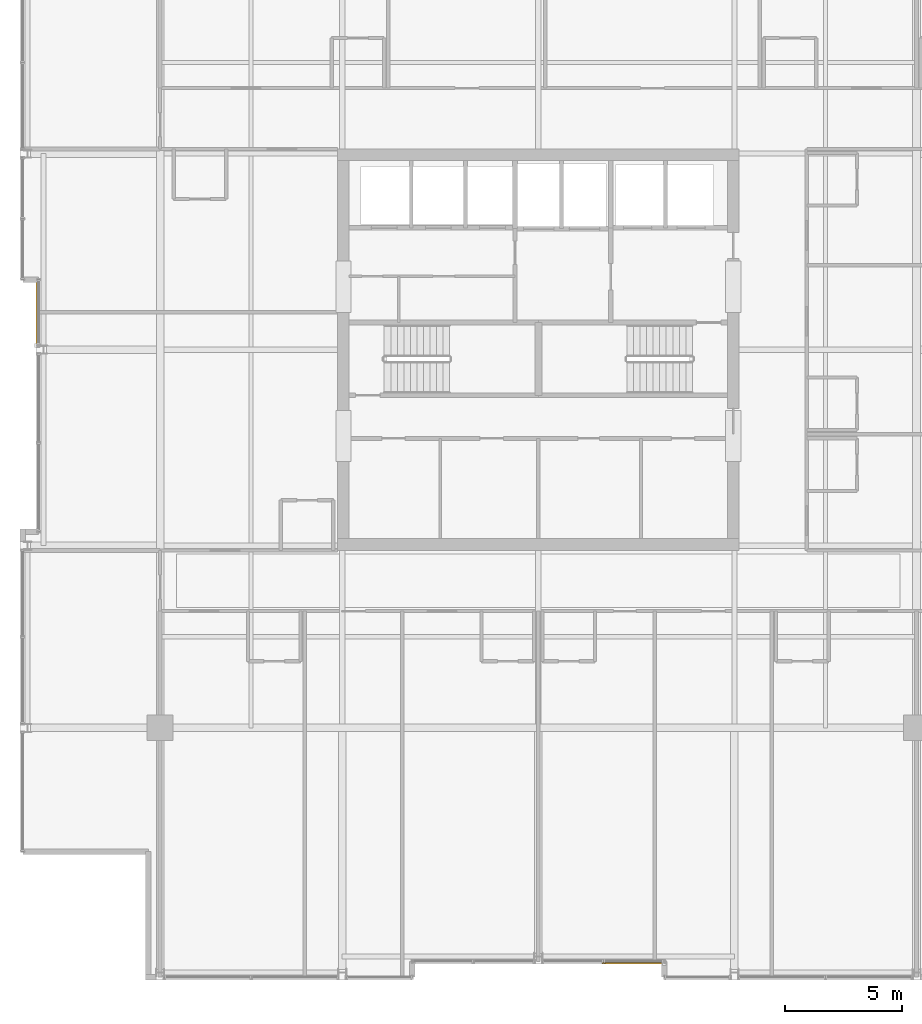
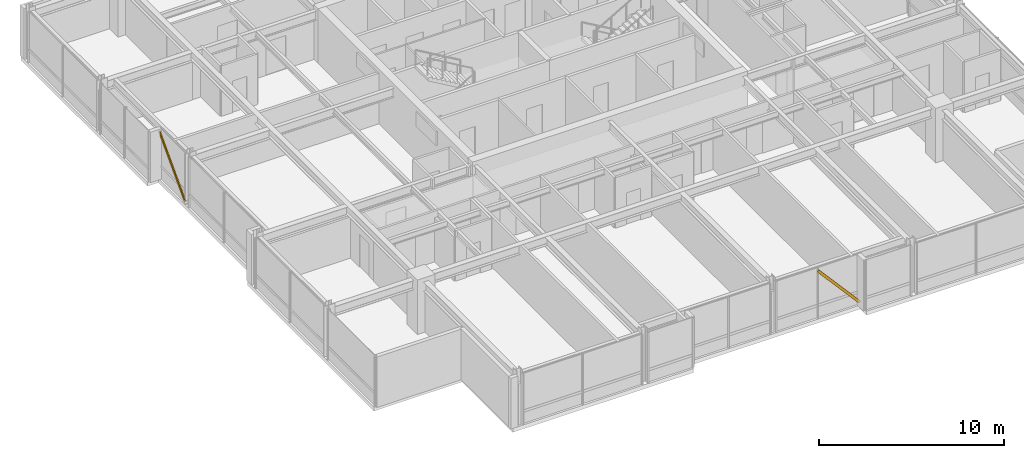
# One storey, part 31 of 33: 2 shading devices.
"""IFC4 building model written with IfcOpenShell, lengths in metres."""

from ifc_helpers import new_model, si_unit, direction, frame, origin, origin_2d, place, context, subcontext, project, spatial, hollow_rectangle, extrude, material, material_profile, profile_set, type_object, element, save


model = new_model("IFC4")

# Units and contexts
model_context = context("Model", 3, precision=1e-05, world=origin(), true_north=direction((0.0, 1.0)))
body_context = subcontext(model_context, "Body", "Model", "MODEL_VIEW")
ifc_project = project(units=[si_unit("LENGTHUNIT", "METRE"), si_unit("AREAUNIT", "SQUARE_METRE"), si_unit("VOLUMEUNIT", "CUBIC_METRE"), si_unit("PLANEANGLEUNIT", "RADIAN"), si_unit("MASSUNIT", "GRAM", prefix="KILO")], contexts=[model_context])

# Site, building, storey
site_placement = place(None, origin())
site = spatial("IfcSite", under=ifc_project, at=site_placement, CompositionType="ELEMENT")
building_placement = place(site_placement, origin())
building = spatial("IfcBuilding", under=site, at=building_placement, Name="Drelvath Grand Hotel", CompositionType="ELEMENT")
storey_placement = place(building_placement, frame((0.0, 0.0, 248.300048828125)))
storey = spatial("IfcBuildingStorey", under=building, at=storey_placement, Name="L65", CompositionType="ELEMENT", Elevation=248.300048828125)

# Shading devices
ifc_material = material(Name="Platinum-Mist Anodised Aluminium", Category="aluminium")
ifc_material_profile = material_profile(ifc_material, hollow_rectangle(XDim=0.06494140625, YDim=0.159912109375, WallThickness=0.00390625, at=origin_2d()), Name="HSS160X65X4")
ifc_profile_set = profile_set([ifc_material_profile], Name="Platinum-Mist Anodised Aluminium")
shading_device_type = type_object("IfcShadingDeviceType", Name="Diagonal Solar Fin Platinum Anodised HSS160X65X4", PredefinedType="USERDEFINED", material=ifc_profile_set)
shading_device_1_placement = place(storey_placement, frame((-21.47998046875, 27.17822265625, 0.179931640625), z_axis=(0.0, 0.687569722658, 0.726118362586), x_axis=(-1.0, 0.0, 0.0)))
element("IfcShadingDevice", 1, at=shading_device_1_placement, inside=storey, type_object=shading_device_type, Name="L65 Diagonal Anodised Fin CW05-L65-WM2", ObjectType="FIN", PredefinedType="USERDEFINED", context=body_context, shape_type="SweptSolid", body=[
    extrude(hollow_rectangle(XDim=0.06494140625, YDim=0.159912109375, WallThickness=0.00390625, at=origin_2d()), origin(), (0.0, 0.0, 1.0), 4.10400390625),
])
shading_device_2_placement = place(storey_placement, frame((5.39990234375, 0.719970703125, 0.179931640625), z_axis=(-0.658984361182, 0.0, 0.752156640414), x_axis=(0.0, -1.0, 0.0)))
element("IfcShadingDevice", 2, at=shading_device_2_placement, inside=storey, type_object=shading_device_type, Name="L65 Diagonal Anodised Fin CW05-L65-SM2", ObjectType="FIN", PredefinedType="USERDEFINED", context=body_context, shape_type="SweptSolid", body=[
    extrude(hollow_rectangle(XDim=0.06494140625, YDim=0.159912109375, WallThickness=0.00390625, at=origin_2d()), origin(), (0.0, 0.0, 1.0), 3.9619140625),
])

save(model, "model.ifc")
